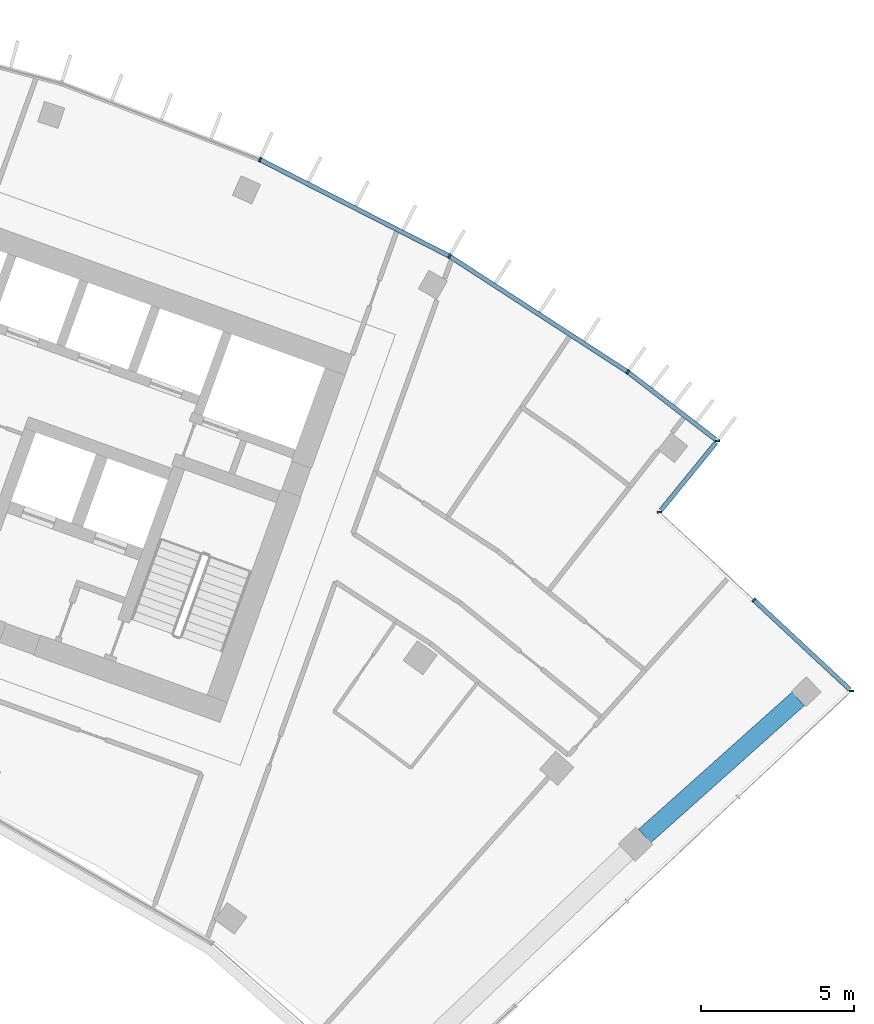
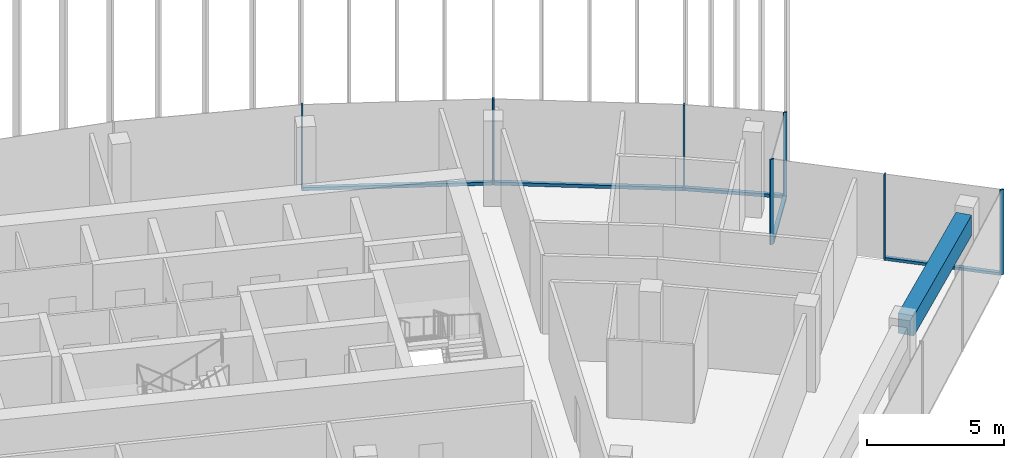
# One storey, part 9 of 19: 12 members, 1 beam, 3 elements without a shape of their own.
"""IFC4 building model written with IfcOpenShell, lengths in metres."""

from ifc_helpers import new_model, si_unit, direction, frame, origin, origin_2d, place, context, subcontext, project, spatial, rectangle, extrude, material, layer, layer_set, material_profile, profile_set, type_object, element, aggregate, save


model = new_model("IFC4")

# Units and contexts
model_context = context("Model", 3, precision=1e-05, world=origin(), true_north=direction((0.0, 1.0)))
body_context = subcontext(model_context, "Body", "Model", "MODEL_VIEW")
ifc_project = project(units=[si_unit("LENGTHUNIT", "METRE"), si_unit("AREAUNIT", "SQUARE_METRE"), si_unit("VOLUMEUNIT", "CUBIC_METRE"), si_unit("PLANEANGLEUNIT", "RADIAN"), si_unit("MASSUNIT", "GRAM", prefix="KILO")], contexts=[model_context])

# Site, building, storey
site_placement = place(None, origin())
site = spatial("IfcSite", under=ifc_project, at=site_placement, CompositionType="ELEMENT")
building_placement = place(site_placement, origin())
building = spatial("IfcBuilding", under=site, at=building_placement, Name="Stone Belt Terrace Tower", CompositionType="ELEMENT")
storey_placement = place(building_placement, frame((0.0, 0.0, 292.199951171875)))
storey = spatial("IfcBuildingStorey", under=building, at=storey_placement, Name="L71", CompositionType="ELEMENT", Elevation=292.199951171875)

# Curtain wall, members
ifc_material_1 = material(Name="Aluminium 6063-T6 anodised frame", Category="aluminium")
ifc_layer_1 = layer(ifc_material_1, 0.14990234375)
ifc_layer_set_1 = layer_set([ifc_layer_1], Name="CW-A unitised convex-face curtain wall")
curtain_wall_type_1 = type_object("IfcCurtainWallType", Name="CW-A unitised convex-face curtain wall", PredefinedType="NOTDEFINED", material=ifc_layer_set_1)
curtain_wall_1_placement = place(storey_placement, origin())
curtain_wall_1 = element("IfcCurtainWall", 1, at=curtain_wall_1_placement, inside=storey, type_object=curtain_wall_type_1, Name="CW-A convex face L71", PredefinedType="NOTDEFINED")
ifc_material_profile_1 = material_profile(ifc_material_1, rectangle(XDim=0.14990234375, YDim=0.06005859375, at=origin_2d()), Name="Aluminium 6063-T6 60x150")
ifc_profile_set_1 = profile_set([ifc_material_profile_1], Name="Aluminium 6063-T6 anodised frame")
member_type_1 = type_object("IfcMemberType", Name="CW-A mullion 60 x 150", PredefinedType="MULLION", material=ifc_profile_set_1)
member_1_placement = place(storey_placement, frame((42.068359375, 51.60205078125, 0.0), z_axis=(0.0, 0.0, 1.0), x_axis=(-0.993258004644, -0.115924700604, 0.0)))
member_1 = element("IfcMember", 2, at=member_1_placement, type_object=member_type_1, Name="CW-A mullion 1", PredefinedType="MULLION", context=body_context, shape_type="SweptSolid", body=[
    extrude(rectangle(XDim=0.14990234375, YDim=0.06005859375, at=origin_2d()), origin(), (0.0, 0.0, 1.0), 3.800048828125),
])
member_2_placement = place(storey_placement, frame((39.131103515625, 53.86083984375, 0.0), z_axis=(0.0, 0.0, 1.0), x_axis=(-0.577587125789, -0.816329046477, 0.0)))
member_2 = element("IfcMember", 3, at=member_2_placement, type_object=member_type_1, Name="CW-A mullion 2", PredefinedType="MULLION", context=body_context, shape_type="SweptSolid", body=[
    extrude(rectangle(XDim=0.14990234375, YDim=0.06005859375, at=origin_2d()), origin(), (0.0, 0.0, 1.0), 3.800048828125),
])
member_3_placement = place(storey_placement, frame((33.28759765625, 57.65576171875, 0.0), z_axis=(0.0, 0.0, 1.0), x_axis=(-0.5, -0.866025403784, 0.0)))
member_3 = element("IfcMember", 4, at=member_3_placement, type_object=member_type_1, Name="CW-A mullion 3", PredefinedType="MULLION", context=body_context, shape_type="SweptSolid", body=[
    extrude(rectangle(XDim=0.14990234375, YDim=0.06005859375, at=origin_2d()), origin(), (0.0, 0.0, 1.0), 3.800048828125),
])
member_4_placement = place(storey_placement, frame((27.07861328125, 60.8193359375, 0.0), z_axis=(0.0, 0.0, 1.0), x_axis=(-0.406736643076, -0.913545457643, 0.0)))
member_4 = element("IfcMember", 5, at=member_4_placement, type_object=member_type_1, Name="CW-A mullion 4", PredefinedType="MULLION", context=body_context, shape_type="SweptSolid", body=[
    extrude(rectangle(XDim=0.14990234375, YDim=0.06005859375, at=origin_2d()), origin(), (0.0, 0.0, 1.0), 3.800048828125),
])
ifc_material_profile_2 = material_profile(ifc_material_1, rectangle(XDim=0.14990234375, YDim=0.139892578125, at=origin_2d()), Name="Aluminium 6063-T6 150x140")
ifc_profile_set_2 = profile_set([ifc_material_profile_2], Name="Aluminium 6063-T6 anodised frame")
member_type_2 = type_object("IfcMemberType", Name="CW-A transom 140 x 150", PredefinedType="USERDEFINED", material=ifc_profile_set_2)
member_5_placement = place(storey_placement, frame((42.00927734375, 51.6474609375, 0.070068359375), z_axis=(-0.79269461464, 0.609618936648, 0.0), x_axis=(-0.609618936648, -0.79269461464, 0.0)))
member_5 = element("IfcMember", 6, at=member_5_placement, type_object=member_type_2, Name="CW-A transom 1.1", ObjectType="TRANSOM", PredefinedType="USERDEFINED", context=body_context, shape_type="SweptSolid", body=[
    extrude(rectangle(XDim=0.14990234375, YDim=0.139892578125, at=origin_2d()), origin(), (0.0, 0.0, 1.0), 3.597900390625),
])
member_6_placement = place(storey_placement, frame((39.103515625, 53.87890625, 0.070068359375), z_axis=(-0.83868440714, 0.544617723931, 0.0), x_axis=(-0.544617723931, -0.83868440714, 0.0)))
member_6 = element("IfcMember", 7, at=member_6_placement, type_object=member_type_2, Name="CW-A transom 2.1", ObjectType="TRANSOM", PredefinedType="USERDEFINED", context=body_context, shape_type="SweptSolid", body=[
    extrude(rectangle(XDim=0.14990234375, YDim=0.139892578125, at=origin_2d()), origin(), (0.0, 0.0, 1.0), 6.90087890625),
])
member_7_placement = place(storey_placement, frame((33.25732421875, 57.671142578125, 0.070068359375), z_axis=(-0.891012226264, 0.453979308613, 0.0), x_axis=(-0.453979308613, -0.891012226264, 0.0)))
member_7 = element("IfcMember", 8, at=member_7_placement, type_object=member_type_2, Name="CW-A transom 3.1", ObjectType="TRANSOM", PredefinedType="USERDEFINED", context=body_context, shape_type="SweptSolid", body=[
    extrude(rectangle(XDim=0.14990234375, YDim=0.139892578125, at=origin_2d()), origin(), (0.0, 0.0, 1.0), 6.90087890625),
])
aggregate(curtain_wall_1, [member_1, member_2, member_3, member_4, member_5, member_6, member_7])

ifc_layer_2 = layer(ifc_material_1, 0.14990234375)
ifc_layer_set_2 = layer_set([ifc_layer_2], Name="CW-C stick curtain wall, horn ends and notches")
curtain_wall_type_2 = type_object("IfcCurtainWallType", Name="CW-C stick curtain wall, horn ends and notches", PredefinedType="NOTDEFINED", material=ifc_layer_set_2)
curtain_wall_2_placement = place(storey_placement, origin())
curtain_wall_2 = element("IfcCurtainWall", 9, at=curtain_wall_2_placement, inside=storey, type_object=curtain_wall_type_2, Name="CW-C notch face L71", PredefinedType="NOTDEFINED")
ifc_material_profile_3 = material_profile(ifc_material_1, rectangle(XDim=0.14990234375, YDim=0.06005859375, at=origin_2d()), Name="Aluminium 6063-T6 60x150")
ifc_profile_set_3 = profile_set([ifc_material_profile_3], Name="Aluminium 6063-T6 anodised frame")
member_type_3 = type_object("IfcMemberType", Name="CW-C mullion 60 x 150", PredefinedType="MULLION", material=ifc_profile_set_3)
member_8_placement = place(storey_placement, frame((46.458740234375, 43.405517578125, 0.0), z_axis=(0.0, 0.0, 1.0), x_axis=(-0.999999447771, -0.00105093149, 0.0)))
member_8 = element("IfcMember", 10, at=member_8_placement, type_object=member_type_3, Name="CW-C mullion 1", PredefinedType="MULLION", context=body_context, shape_type="SweptSolid", body=[
    extrude(rectangle(XDim=0.14990234375, YDim=0.06005859375, at=origin_2d()), origin(), (0.0, 0.0, 1.0), 3.800048828125),
])
member_9_placement = place(storey_placement, frame((43.260009765625, 46.388671875, 0.0), z_axis=(0.0, 0.0, 1.0), x_axis=(-0.682013767261, -0.731339333871, 0.0)))
member_9 = element("IfcMember", 11, at=member_9_placement, type_object=member_type_3, Name="CW-C mullion 2", PredefinedType="MULLION", context=body_context, shape_type="SweptSolid", body=[
    extrude(rectangle(XDim=0.14990234375, YDim=0.06005859375, at=origin_2d()), origin(), (0.0, 0.0, 1.0), 3.800048828125),
])

# Curtain wall, member
curtain_wall_3_placement = place(storey_placement, origin())
curtain_wall_3 = element("IfcCurtainWall", 12, at=curtain_wall_3_placement, inside=storey, type_object=curtain_wall_type_2, Name="CW-C notch face L71", PredefinedType="NOTDEFINED")
member_10_placement = place(storey_placement, frame((40.1708984375, 49.269287109375, 0.0), z_axis=(0.0, 0.0, 1.0), x_axis=(-0.997639702696, -0.068666029474, 0.0)))
member_10 = element("IfcMember", 13, at=member_10_placement, type_object=member_type_3, Name="CW-C mullion 1", PredefinedType="MULLION", context=body_context, shape_type="SweptSolid", body=[
    extrude(rectangle(XDim=0.14990234375, YDim=0.06005859375, at=origin_2d()), origin(), (0.0, 0.0, 1.0), 3.800048828125),
])

# Member
ifc_material_profile_4 = material_profile(ifc_material_1, rectangle(XDim=0.14990234375, YDim=0.1201171875, at=origin_2d()), Name="Aluminium 6063-T6 150x120")
ifc_profile_set_4 = profile_set([ifc_material_profile_4], Name="Aluminium 6063-T6 anodised frame")
member_type_4 = type_object("IfcMemberType", Name="CW-C transom 120 x 150", PredefinedType="USERDEFINED", material=ifc_profile_set_4)
member_11_placement = place(storey_placement, frame((46.40380859375, 43.456787109375, 0.06005859375), z_axis=(-0.731353784958, 0.681998270693, 0.0), x_axis=(-0.681998270693, -0.731353784958, 0.0)))
member_11 = element("IfcMember", 14, at=member_11_placement, type_object=member_type_4, Name="CW-C transom 1.1", ObjectType="TRANSOM", PredefinedType="USERDEFINED", context=body_context, shape_type="SweptSolid", body=[
    extrude(rectangle(XDim=0.14990234375, YDim=0.1201171875, at=origin_2d()), origin(), (0.0, 0.0, 1.0), 4.268798828125),
])

aggregate(curtain_wall_2, [member_8, member_9, member_11])

member_12_placement = place(storey_placement, frame((40.217041015625, 49.325927734375, 0.06005859375), z_axis=(0.631026504781, 0.775761271439, 0.0), x_axis=(-0.775761271439, 0.631026504781, 0.0)))
member_12 = element("IfcMember", 15, at=member_12_placement, type_object=member_type_4, Name="CW-C transom 1.1", ObjectType="TRANSOM", PredefinedType="USERDEFINED", context=body_context, shape_type="SweptSolid", body=[
    extrude(rectangle(XDim=0.14990234375, YDim=0.1201171875, at=origin_2d()), origin(), (0.0, 0.0, 1.0), 2.859130859375),
])

aggregate(curtain_wall_3, [member_10, member_12])

# Beam
ifc_material_2 = material(Name="Concrete B60", Category="concrete")
ifc_material_profile_5 = material_profile(ifc_material_2, rectangle(XDim=0.60009765625, YDim=0.89990234375, at=origin_2d()), Name="RC 600x900")
ifc_profile_set_5 = profile_set([ifc_material_profile_5], Name="Concrete B60")
beam_type = type_object("IfcBeamType", Name="Edge beam RC 600x900 B60", PredefinedType="SPANDREL", material=ifc_profile_set_5)
beam_placement = place(storey_placement, frame((39.68701171875, 38.65380859375, 3.030029296875), z_axis=(0.745651125692, 0.666336550666, 0.0), x_axis=(-0.666336550666, 0.745651125692, 0.0)))
element("IfcBeam", 16, at=beam_placement, inside=storey, type_object=beam_type, Name="Edge beam L71 B Q to R", PredefinedType="SPANDREL", context=body_context, shape_type="SweptSolid", body=[
    extrude(rectangle(XDim=0.60009765625, YDim=0.89990234375, at=origin_2d()), origin(), (0.0, 0.0, 1.0), 6.744140625),
])

save(model, "model.ifc")
